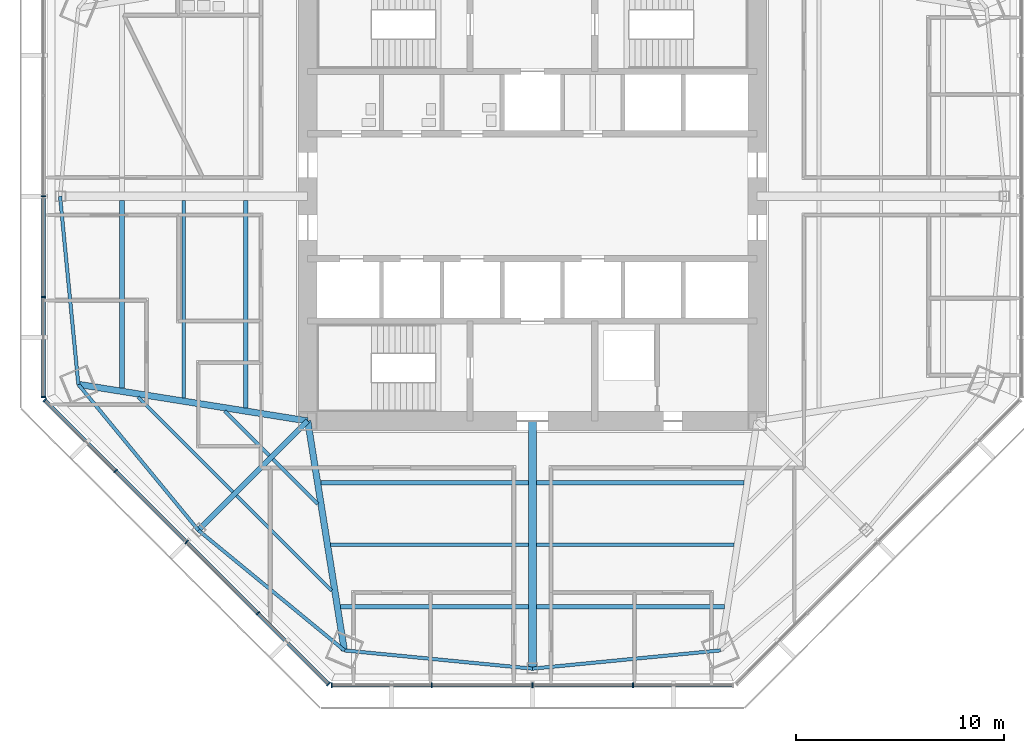
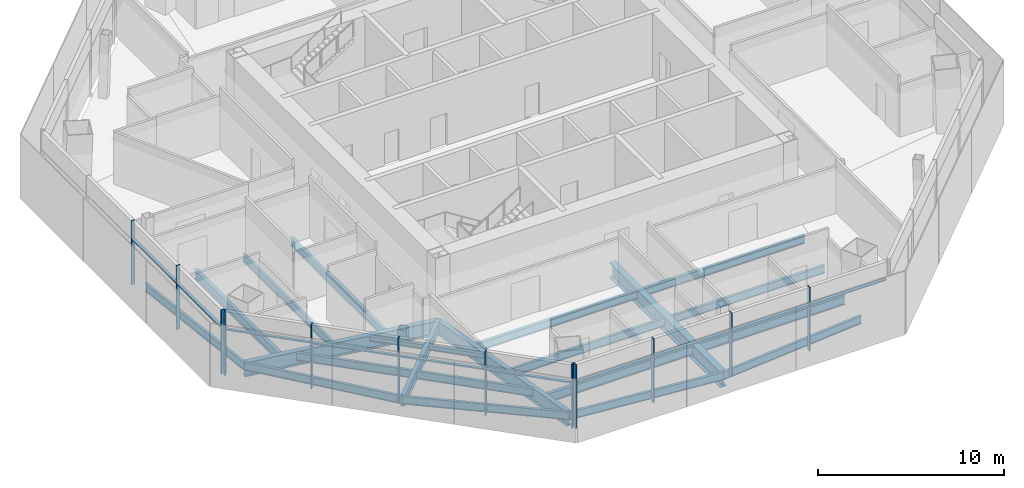
# One storey, part 2 of 15: 22 beams, 22 members, 3 elements without a shape of their own.
"""IFC4 building model written with IfcOpenShell, lengths in metres."""

from ifc_helpers import new_model, si_unit, direction, frame, origin, origin_2d, place, context, subcontext, project, spatial, rectangle, i_section, extrude, source, transform, mapped, material, material_profile, profile_set, type_object, type_shapes, element, aggregate, save


model = new_model("IFC4")

# Units and contexts
model_context = context("Model", 3, precision=1e-05, world=origin(), true_north=direction((0.0, 1.0)))
body_context = subcontext(model_context, "Body", "Model", "MODEL_VIEW")
ifc_project = project(units=[si_unit("LENGTHUNIT", "METRE"), si_unit("AREAUNIT", "SQUARE_METRE"), si_unit("VOLUMEUNIT", "CUBIC_METRE"), si_unit("PLANEANGLEUNIT", "RADIAN"), si_unit("MASSUNIT", "GRAM", prefix="KILO")], contexts=[model_context])

# Site, building, storey
site_placement = place(None, origin())
site = spatial("IfcSite", under=ifc_project, at=site_placement, CompositionType="ELEMENT")
building_placement = place(site_placement, origin())
building = spatial("IfcBuilding", under=site, at=building_placement, Name="Mashrafa Tower", CompositionType="ELEMENT")
storey_placement = place(building_placement, frame((0.0, 0.0, 159.60009765625)))
storey = spatial("IfcBuildingStorey", under=building, at=storey_placement, Name="L36", CompositionType="ELEMENT", Elevation=159.60009765625)

# Beams
ifc_material_1 = material(Name="Steel ASTM A992", Category="steel")
ifc_material_profile_1 = material_profile(ifc_material_1, i_section(OverallWidth=0.164794921875, OverallDepth=0.309814453125, WebThickness=0.005859375, FlangeThickness=0.009765625, FilletRadius=0.007568359375, at=origin_2d()), Name="W12X26")
ifc_profile_set_1 = profile_set([ifc_material_profile_1], Name="Steel ASTM A992")
beam_type_1 = type_object("IfcBeamType", Name="Beam W12X26", PredefinedType="BEAM", material=ifc_profile_set_1)
for number, where, z_axis, x_axis, name in (
    (1, (-12.64208984375, -12.460693359375, -0.320068359375), (-0.707147105488, 0.707066454586, 0.0), (-0.707066454586, -0.707147105488, 0.0), "Floor beam L36 011"),
    (2, (-10.3203125, -14.78271484375, -0.320068359375), (-0.707066454586, 0.707147105488, 0.0), (-0.707147105488, -0.707066454586, 0.0), "Floor beam L36 014"),
):
    element("IfcBeam", number, at=place(storey_placement, frame(where, z_axis=z_axis, x_axis=x_axis)), inside=storey, type_object=beam_type_1, Name=name, PredefinedType="BEAM", context=body_context, shape_type="SweptSolid", body=[
        extrude(i_section(OverallWidth=0.164794921875, OverallDepth=0.309814453125, WebThickness=0.005859375, FlangeThickness=0.009765625, FilletRadius=0.007568359375, at=origin_2d()), origin(), (0.0, 0.0, 1.0), 3.027099609375),
    ])
ifc_material_2 = material(Name="Steel ASTM A992", Category="steel")
ifc_material_profile_2 = material_profile(ifc_material_2, i_section(OverallWidth=0.1650390625, OverallDepth=0.52587890625, WebThickness=0.0087890625, FlangeThickness=0.011474609375, FilletRadius=0.0126953125, at=origin_2d()), Name="W21X44")
ifc_profile_set_2 = profile_set([ifc_material_profile_2], Name="Steel ASTM A992")
beam_type_2 = type_object("IfcBeamType", Name="Beam W21X44", PredefinedType="BEAM", material=ifc_profile_set_2)
for number, where, z_axis, x_axis, name in (
    (3, (-14.393798828125, -14.21240234375, -0.427978515625), (-0.707087839389, 0.707125722477, 0.0), (-0.707125722477, -0.707087839389, 0.0), "Floor beam L36 007"),
    (4, (-9.6552734375, -18.95068359375, -0.427978515625), (-0.707125722477, 0.707087839389, 0.0), (-0.707087839389, -0.707125722477, 0.0), "Floor beam L36 016"),
):
    element("IfcBeam", number, at=place(storey_placement, frame(where, z_axis=z_axis, x_axis=x_axis)), inside=storey, type_object=beam_type_2, Name=name, PredefinedType="BEAM", context=body_context, shape_type="SweptSolid", body=[
        extrude(i_section(OverallWidth=0.1650390625, OverallDepth=0.52587890625, WebThickness=0.0087890625, FlangeThickness=0.011474609375, FilletRadius=0.0126953125, at=origin_2d()), origin(), (0.0, 0.0, 1.0), 6.444580078125),
    ])
for number, where, z_axis, x_axis, name in (
    (5, (-22.70458984375, 0.0, -0.427978515625), (0.096679808275, -0.995315535231, 0.0), (0.995315535231, 0.096679808275, 0.0), "Spandrel beam L36 057"),
    (6, (-21.826416015625, -9.040771484375, -0.427978515625), (0.635445309972, -0.772145878727, 0.0), (0.772145878727, 0.635445309972, 0.0), "Spandrel beam L36 058"),
    (7, (-16.054443359375, -16.054443359375, -0.427978515625), (0.772145878727, -0.635445309972, 0.0), (0.635445309972, 0.772145878727, 0.0), "Spandrel beam L36 060"),
    (8, (-9.040771484375, -21.826416015625, -0.427978515625), (0.995315535231, -0.096679808275, 0.0), (0.096679808275, 0.995315535231, 0.0), "Spandrel beam L36 062"),
    (9, (0.0, -22.70458984375, -0.427978515625), (0.995315535231, 0.096679808275, 0.0), (-0.096679808275, 0.995315535231, 0.0), "Spandrel beam L36 064"),
):
    element("IfcBeam", number, at=place(storey_placement, frame(where, z_axis=z_axis, x_axis=x_axis)), inside=storey, type_object=beam_type_2, Name=name, PredefinedType="BEAM", context=body_context, shape_type="SweptSolid", body=[
        extrude(i_section(OverallWidth=0.1650390625, OverallDepth=0.52587890625, WebThickness=0.0087890625, FlangeThickness=0.011474609375, FilletRadius=0.0126953125, at=origin_2d()), origin(), (0.0, 0.0, 1.0), 9.083251953125),
    ])
ifc_material_3 = material(Name="Steel ASTM A992", Category="steel")
ifc_material_profile_3 = material_profile(ifc_material_3, i_section(OverallWidth=0.165771484375, OverallDepth=0.5283203125, WebThickness=0.009765625, FlangeThickness=0.013671875, FilletRadius=0.012939453125, at=origin_2d()), Name="W21X50")
ifc_profile_set_3 = profile_set([ifc_material_profile_3], Name="Steel ASTM A992")
beam_type_3 = type_object("IfcBeamType", Name="Beam W21X50", PredefinedType="BEAM", material=ifc_profile_set_3)
for number, where, z_axis, x_axis, name in (
    (10, (-16.752197265625, -9.694580078125, -0.42919921875), (0.0, 1.0, 0.0), (-1.0, 0.0, 0.0), "Floor beam L36 004"),
    (11, (-0.20068359375, -16.752197265625, -0.42919921875), (-1.0, 0.0, 0.0), (0.0, -1.0, 0.0), "Floor beam L36 019"),
    (12, (9.694580078125, -16.752197265625, -0.42919921875), (-1.0, 0.0, 0.0), (0.0, -1.0, 0.0), "Floor beam L36 026"),
):
    element("IfcBeam", number, at=place(storey_placement, frame(where, z_axis=z_axis, x_axis=x_axis)), inside=storey, type_object=beam_type_3, Name=name, PredefinedType="BEAM", context=body_context, shape_type="SweptSolid", body=[
        extrude(i_section(OverallWidth=0.165771484375, OverallDepth=0.5283203125, WebThickness=0.009765625, FlangeThickness=0.013671875, FilletRadius=0.012939453125, at=origin_2d()), origin(), (0.0, 0.0, 1.0), 9.493896484375),
    ])
ifc_material_4 = material(Name="Steel ASTM A992", Category="steel")
ifc_material_profile_4 = material_profile(ifc_material_4, i_section(OverallWidth=0.209228515625, OverallDepth=0.533447265625, WebThickness=0.01025390625, FlangeThickness=0.015625, FilletRadius=0.012939453125, at=origin_2d()), Name="W21X62")
ifc_profile_set_4 = profile_set([ifc_material_profile_4], Name="Steel ASTM A992")
beam_type_4 = type_object("IfcBeamType", Name="Beam W21X62", PredefinedType="BEAM", material=ifc_profile_set_4)
for number, where, z_axis, x_axis, name in (
    (13, (-13.776123046875, -10.169677734375, -0.431884765625), (0.0, 1.0, 0.0), (-1.0, 0.0, 0.0), "Floor beam L36 009"),
    (14, (-0.20068359375, -13.776123046875, -0.431884765625), (-1.0, 0.0, 0.0), (0.0, -1.0, 0.0), "Floor beam L36 020"),
    (15, (10.169677734375, -13.776123046875, -0.431884765625), (-1.0, 0.0, 0.0), (0.0, -1.0, 0.0), "Floor beam L36 028"),
):
    element("IfcBeam", number, at=place(storey_placement, frame(where, z_axis=z_axis, x_axis=x_axis)), inside=storey, type_object=beam_type_4, Name=name, PredefinedType="BEAM", context=body_context, shape_type="SweptSolid", body=[
        extrude(i_section(OverallWidth=0.209228515625, OverallDepth=0.533447265625, WebThickness=0.01025390625, FlangeThickness=0.015625, FilletRadius=0.012939453125, at=origin_2d()), origin(), (0.0, 0.0, 1.0), 9.968994140625),
    ])
ifc_material_5 = material(Name="Steel ASTM A992", Category="steel")
ifc_material_profile_5 = material_profile(ifc_material_5, i_section(OverallWidth=0.227783203125, OverallDepth=0.60205078125, WebThickness=0.010498046875, FlangeThickness=0.014892578125, FilletRadius=0.012939453125, at=origin_2d()), Name="W24X68")
ifc_profile_set_5 = profile_set([ifc_material_profile_5], Name="Steel ASTM A992")
beam_type_5 = type_object("IfcBeamType", Name="Beam W24X68", PredefinedType="BEAM", material=ifc_profile_set_5)
for number, where, z_axis, x_axis, name in (
    (16, (-19.728515625, -9.219970703125, -0.466064453125), (0.0, 1.0, 0.0), (-1.0, 0.0, 0.0), "Floor beam L36 001"),
    (17, (-0.20068359375, -19.728515625, -0.466064453125), (-1.0, 0.0, 0.0), (0.0, -1.0, 0.0), "Floor beam L36 018"),
    (18, (9.219970703125, -19.728515625, -0.466064453125), (-1.0, 0.0, 0.0), (0.0, -1.0, 0.0), "Floor beam L36 024"),
):
    element("IfcBeam", number, at=place(storey_placement, frame(where, z_axis=z_axis, x_axis=x_axis)), inside=storey, type_object=beam_type_5, Name=name, PredefinedType="BEAM", context=body_context, shape_type="SweptSolid", body=[
        extrude(i_section(OverallWidth=0.227783203125, OverallDepth=0.60205078125, WebThickness=0.010498046875, FlangeThickness=0.014892578125, FilletRadius=0.012939453125, at=origin_2d()), origin(), (0.0, 0.0, 1.0), 9.019287109375),
    ])
ifc_material_6 = material(Name="Steel ASTM A992", Category="steel")
ifc_material_profile_6 = material_profile(ifc_material_6, i_section(OverallWidth=0.256591796875, OverallDepth=0.693359375, WebThickness=0.014404296875, FlangeThickness=0.023681640625, FilletRadius=0.01513671875, at=origin_2d()), Name="W27X114")
ifc_profile_set_6 = profile_set([ifc_material_profile_6], Name="Steel ASTM A992")
beam_type_6 = type_object("IfcBeamType", Name="Beam W27X114", PredefinedType="BEAM", material=ifc_profile_set_6)
beam_1_placement = place(storey_placement, frame((-10.800048828125, -10.800048828125, -0.51171875), z_axis=(-0.707106781187, -0.707106781187, 0.0), x_axis=(0.707106781187, -0.707106781187, 0.0)))
element("IfcBeam", 19, at=beam_1_placement, inside=storey, type_object=beam_type_6, Name="Radial girder L36 042", PredefinedType="BEAM", context=body_context, shape_type="SweptSolid", body=[
    extrude(i_section(OverallWidth=0.256591796875, OverallDepth=0.693359375, WebThickness=0.014404296875, FlangeThickness=0.023681640625, FilletRadius=0.01513671875, at=origin_2d()), origin(), (0.0, 0.0, 1.0), 7.430908203125),
])
ifc_material_7 = material(Name="Steel ASTM A992", Category="steel")
ifc_material_profile_7 = material_profile(ifc_material_7, i_section(OverallWidth=0.307373046875, OverallDepth=0.927001953125, WebThickness=0.01953125, FlangeThickness=0.031982421875, FilletRadius=0.01904296875, at=origin_2d()), Name="W36X194")
ifc_profile_set_7 = profile_set([ifc_material_profile_7], Name="Steel ASTM A992")
beam_type_7 = type_object("IfcBeamType", Name="Beam W36X194", PredefinedType="BEAM", material=ifc_profile_set_7)
for number, where, z_axis, x_axis, name in (
    (20, (-10.800048828125, -10.800048828125, -0.628662109375), (-0.987509577734, 0.157558985412, 0.0), (-0.157558985412, -0.987509577734, 0.0), "Radial girder L36 041"),
    (21, (-10.800048828125, -10.800048828125, -0.628662109375), (0.157558985412, -0.987509577734, 0.0), (0.987509577734, 0.157558985412, 0.0), "Radial girder L36 043"),
):
    element("IfcBeam", number, at=place(storey_placement, frame(where, z_axis=z_axis, x_axis=x_axis)), inside=storey, type_object=beam_type_7, Name=name, PredefinedType="BEAM", context=body_context, shape_type="SweptSolid", body=[
        extrude(i_section(OverallWidth=0.307373046875, OverallDepth=0.927001953125, WebThickness=0.01953125, FlangeThickness=0.031982421875, FilletRadius=0.01904296875, at=origin_2d()), origin(), (0.0, 0.0, 1.0), 11.165771484375),
    ])
ifc_material_8 = material(Name="Steel ASTM A992", Category="steel")
ifc_material_profile_8 = material_profile(ifc_material_8, i_section(OverallWidth=0.4013671875, OverallDepth=1.010986328125, WebThickness=0.023681640625, FlangeThickness=0.0419921875, FilletRadius=0.02001953125, at=origin_2d()), Name="W40X297")
ifc_profile_set_8 = profile_set([ifc_material_profile_8], Name="Steel ASTM A992")
beam_type_8 = type_object("IfcBeamType", Name="Beam W40X297", PredefinedType="BEAM", material=ifc_profile_set_8)
beam_2_placement = place(storey_placement, frame((0.0, -10.800048828125, -0.670654296875), z_axis=(0.0, -1.0, 0.0), x_axis=(1.0, 0.0, 0.0)))
element("IfcBeam", 22, at=beam_2_placement, inside=storey, type_object=beam_type_8, Name="Radial girder L36 048", PredefinedType="BEAM", context=body_context, shape_type="SweptSolid", body=[
    extrude(i_section(OverallWidth=0.4013671875, OverallDepth=1.010986328125, WebThickness=0.023681640625, FlangeThickness=0.0419921875, FilletRadius=0.02001953125, at=origin_2d()), origin(), (0.0, 0.0, 1.0), 11.904541015625),
])

# Curtain wall, members
ifc_material_9 = material(Name="Unitised aluminium curtain wall", Category="aluminium")
curtain_wall_type = type_object("IfcCurtainWallType", Name="Office curtain wall, zone 2 CW-B 225 deep", PredefinedType="NOTDEFINED", material=ifc_material_9)
curtain_wall_1_placement = place(storey_placement, origin())
curtain_wall_1 = element("IfcCurtainWall", 23, at=curtain_wall_1_placement, inside=storey, type_object=curtain_wall_type, Name="Office curtain wall, zone 2 L36 west", PredefinedType="NOTDEFINED")
ifc_material_10 = material(Name="Extruded aluminium mullion", Category="aluminium")
ifc_material_profile_9 = material_profile(ifc_material_10, rectangle(XDim=0.22509765625, YDim=0.06494140625, at=origin_2d()), Name="Mullion 65x225")
ifc_profile_set_9 = profile_set([ifc_material_profile_9], Name="Extruded aluminium mullion")
member_type_1 = type_object("IfcMemberType", Name="Mullion CW-B 65 x 225", PredefinedType="MULLION", material=ifc_profile_set_9)
shared_shape_1 = source(origin(), body_context, "Body", "SweptSolid", [
    extrude(rectangle(XDim=0.22509765625, YDim=0.06494140625, at=origin_2d()), origin(), (0.0, 0.0, 1.0), 4.199951171875),
])
type_shapes(member_type_1, [shared_shape_1])
member_1_placement = place(storey_placement, frame((-23.499755859375, 0.0, 0.0), z_axis=(0.0, 0.0, 1.0), x_axis=(1.0, 0.0, 0.0)))
member_1 = element("IfcMember", 24, at=member_1_placement, type_object=member_type_1, Name="CW-B mullion 3", PredefinedType="MULLION", context=body_context, shape_type="MappedRepresentation", body=[
    mapped(shared_shape_1, transform((0.0, 0.0, 0.0))),
])
member_2_placement = place(storey_placement, frame((-23.499755859375, -4.838623046875, 0.0), z_axis=(0.0, 0.0, 1.0), x_axis=(1.0, 0.0, 0.0)))
member_2 = element("IfcMember", 25, at=member_2_placement, type_object=member_type_1, Name="CW-B mullion 4", PredefinedType="MULLION", context=body_context, shape_type="MappedRepresentation", body=[
    mapped(shared_shape_1, transform((0.0, 0.0, 0.0))),
])
member_3_placement = place(storey_placement, frame((-23.499755859375, -9.644775390625, 0.0), z_axis=(0.0, 0.0, 1.0), x_axis=(1.0, 0.0, 0.0)))
member_3 = element("IfcMember", 26, at=member_3_placement, type_object=member_type_1, Name="CW-B mullion 5", PredefinedType="MULLION", context=body_context, shape_type="MappedRepresentation", body=[
    mapped(shared_shape_1, transform((0.0, 0.0, 0.0))),
])

curtain_wall_2_placement = place(storey_placement, origin())
curtain_wall_2 = element("IfcCurtainWall", 27, at=curtain_wall_2_placement, inside=storey, type_object=curtain_wall_type, Name="Office curtain wall, zone 2 L36 south-west", PredefinedType="NOTDEFINED")
member_4_placement = place(storey_placement, frame((-23.436767578125, -9.796875, 0.0), z_axis=(0.0, 0.0, 1.0), x_axis=(0.707106781187, 0.707106781187, 0.0)))
member_4 = element("IfcMember", 28, at=member_4_placement, type_object=member_type_1, Name="CW-B mullion 1", PredefinedType="MULLION", context=body_context, shape_type="MappedRepresentation", body=[
    mapped(shared_shape_1, transform((0.0, 0.0, 0.0))),
])
member_5_placement = place(storey_placement, frame((-20.038330078125, -13.195556640625, 0.0), z_axis=(0.0, 0.0, 1.0), x_axis=(0.707106781187, 0.707106781187, 0.0)))
member_5 = element("IfcMember", 29, at=member_5_placement, type_object=member_type_1, Name="CW-B mullion 2", PredefinedType="MULLION", context=body_context, shape_type="MappedRepresentation", body=[
    mapped(shared_shape_1, transform((0.0, 0.0, 0.0))),
])
member_6_placement = place(storey_placement, frame((-16.616943359375, -16.616943359375, 0.0), z_axis=(0.0, 0.0, 1.0), x_axis=(0.707106781187, 0.707106781187, 0.0)))
member_6 = element("IfcMember", 30, at=member_6_placement, type_object=member_type_1, Name="CW-B mullion 3", PredefinedType="MULLION", context=body_context, shape_type="MappedRepresentation", body=[
    mapped(shared_shape_1, transform((0.0, 0.0, 0.0))),
])
member_7_placement = place(storey_placement, frame((-13.195556640625, -20.038330078125, 0.0), z_axis=(0.0, 0.0, 1.0), x_axis=(0.707106781187, 0.707106781187, 0.0)))
member_7 = element("IfcMember", 31, at=member_7_placement, type_object=member_type_1, Name="CW-B mullion 4", PredefinedType="MULLION", context=body_context, shape_type="MappedRepresentation", body=[
    mapped(shared_shape_1, transform((0.0, 0.0, 0.0))),
])
member_8_placement = place(storey_placement, frame((-9.796875, -23.436767578125, 0.0), z_axis=(0.0, 0.0, 1.0), x_axis=(0.707106781187, 0.707106781187, 0.0)))
member_8 = element("IfcMember", 32, at=member_8_placement, type_object=member_type_1, Name="CW-B mullion 5", PredefinedType="MULLION", context=body_context, shape_type="MappedRepresentation", body=[
    mapped(shared_shape_1, transform((0.0, 0.0, 0.0))),
])

curtain_wall_3_placement = place(storey_placement, origin())
curtain_wall_3 = element("IfcCurtainWall", 33, at=curtain_wall_3_placement, inside=storey, type_object=curtain_wall_type, Name="Office curtain wall, zone 2 L36 south", PredefinedType="NOTDEFINED")
member_9_placement = place(storey_placement, frame((-9.644775390625, -23.499755859375, 0.0), z_axis=(0.0, 0.0, 1.0), x_axis=(0.0, 1.0, 0.0)))
member_9 = element("IfcMember", 34, at=member_9_placement, type_object=member_type_1, Name="CW-B mullion 1", PredefinedType="MULLION", context=body_context, shape_type="MappedRepresentation", body=[
    mapped(shared_shape_1, transform((0.0, 0.0, 0.0))),
])
member_10_placement = place(storey_placement, frame((-4.838623046875, -23.499755859375, 0.0), z_axis=(0.0, 0.0, 1.0), x_axis=(0.0, 1.0, 0.0)))
member_10 = element("IfcMember", 35, at=member_10_placement, type_object=member_type_1, Name="CW-B mullion 2", PredefinedType="MULLION", context=body_context, shape_type="MappedRepresentation", body=[
    mapped(shared_shape_1, transform((0.0, 0.0, 0.0))),
])
member_11_placement = place(storey_placement, frame((0.0, -23.499755859375, 0.0), z_axis=(0.0, 0.0, 1.0), x_axis=(0.0, 1.0, 0.0)))
member_11 = element("IfcMember", 36, at=member_11_placement, type_object=member_type_1, Name="CW-B mullion 3", PredefinedType="MULLION", context=body_context, shape_type="MappedRepresentation", body=[
    mapped(shared_shape_1, transform((0.0, 0.0, 0.0))),
])
member_12_placement = place(storey_placement, frame((4.838623046875, -23.499755859375, 0.0), z_axis=(0.0, 0.0, 1.0), x_axis=(0.0, 1.0, 0.0)))
member_12 = element("IfcMember", 37, at=member_12_placement, type_object=member_type_1, Name="CW-B mullion 4", PredefinedType="MULLION", context=body_context, shape_type="MappedRepresentation", body=[
    mapped(shared_shape_1, transform((0.0, 0.0, 0.0))),
])

# Member
ifc_material_11 = material(Name="Extruded aluminium transom", Category="aluminium")
ifc_material_profile_10 = material_profile(ifc_material_11, rectangle(XDim=0.179931640625, YDim=0.080078125, at=origin_2d()), Name="Transom 80x180")
ifc_profile_set_10 = profile_set([ifc_material_profile_10], Name="Extruded aluminium transom")
member_type_2 = type_object("IfcMemberType", Name="Transom CW-B 80 x 180", PredefinedType="MULLION", material=ifc_profile_set_10)
shared_shape_2 = source(origin(), body_context, "Body", "SweptSolid", [
    extrude(rectangle(XDim=0.179931640625, YDim=0.080078125, at=origin_2d()), origin(), (0.0, 0.0, 1.0), 4.7412109375),
])
member_13_placement = place(storey_placement, frame((-23.499755859375, -4.87109375, 3.0), z_axis=(0.0, -1.0, 0.0), x_axis=(1.0, 0.0, 0.0)))
member_13 = element("IfcMember", 38, at=member_13_placement, type_object=member_type_2, Name="CW-B transom 4", PredefinedType="MULLION", context=body_context, shape_type="MappedRepresentation", body=[
    mapped(shared_shape_2, transform((0.0, 0.0, 0.0))),
])

member_14_placement = place(storey_placement, frame((-23.413818359375, -9.81982421875, 3.0), z_axis=(0.707106781187, -0.707106781187, 0.0), x_axis=(0.707106781187, 0.707106781187, 0.0)))
member_14 = element("IfcMember", 39, at=member_14_placement, type_object=member_type_2, Name="CW-B transom 1", PredefinedType="MULLION", context=body_context, shape_type="MappedRepresentation", body=[
    mapped(shared_shape_2, transform((0.0, 0.0, 0.0))),
])

member_15_placement = place(storey_placement, frame((-13.17236328125, -20.061279296875, 3.0), z_axis=(0.707106781187, -0.707106781187, 0.0), x_axis=(0.707106781187, 0.707106781187, 0.0)))
member_15 = element("IfcMember", 40, at=member_15_placement, type_object=member_type_2, Name="CW-B transom 4", PredefinedType="MULLION", context=body_context, shape_type="MappedRepresentation", body=[
    mapped(shared_shape_2, transform((0.0, 0.0, 0.0))),
])

member_16_placement = place(storey_placement, frame((-9.6123046875, -23.499755859375, 3.0), z_axis=(1.0, 0.0, 0.0), x_axis=(0.0, 1.0, 0.0)))
member_16 = element("IfcMember", 41, at=member_16_placement, type_object=member_type_2, Name="CW-B transom 1", PredefinedType="MULLION", context=body_context, shape_type="MappedRepresentation", body=[
    mapped(shared_shape_2, transform((0.0, 0.0, 0.0))),
])

member_17_placement = place(storey_placement, frame((4.87109375, -23.499755859375, 3.0), z_axis=(1.0, 0.0, 0.0), x_axis=(0.0, 1.0, 0.0)))
member_17 = element("IfcMember", 42, at=member_17_placement, type_object=member_type_2, Name="CW-B transom 4", PredefinedType="MULLION", context=body_context, shape_type="MappedRepresentation", body=[
    mapped(shared_shape_2, transform((0.0, 0.0, 0.0))),
])

shared_shape_3 = source(origin(), body_context, "Body", "SweptSolid", [
    extrude(rectangle(XDim=0.179931640625, YDim=0.080078125, at=origin_2d()), origin(), (0.0, 0.0, 1.0), 4.773681640625),
])
type_shapes(member_type_2, [shared_shape_2, shared_shape_3])
member_18_placement = place(storey_placement, frame((-23.499755859375, -0.032470703125, 3.0), z_axis=(0.0, -1.0, 0.0), x_axis=(1.0, 0.0, 0.0)))
member_18 = element("IfcMember", 43, at=member_18_placement, type_object=member_type_2, Name="CW-B transom 3", PredefinedType="MULLION", context=body_context, shape_type="MappedRepresentation", body=[
    mapped(shared_shape_3, transform((0.0, 0.0, 0.0))),
])

aggregate(curtain_wall_1, [member_1, member_2, member_3, member_18, member_13])

member_19_placement = place(storey_placement, frame((-20.015380859375, -13.218505859375, 3.0), z_axis=(0.707106781187, -0.707106781187, 0.0), x_axis=(0.707106781187, 0.707106781187, 0.0)))
member_19 = element("IfcMember", 44, at=member_19_placement, type_object=member_type_2, Name="CW-B transom 2", PredefinedType="MULLION", context=body_context, shape_type="MappedRepresentation", body=[
    mapped(shared_shape_3, transform((0.0, 0.0, 0.0))),
])

member_20_placement = place(storey_placement, frame((-16.593994140625, -16.639892578125, 3.0), z_axis=(0.707106781187, -0.707106781187, 0.0), x_axis=(0.707106781187, 0.707106781187, 0.0)))
member_20 = element("IfcMember", 45, at=member_20_placement, type_object=member_type_2, Name="CW-B transom 3", PredefinedType="MULLION", context=body_context, shape_type="MappedRepresentation", body=[
    mapped(shared_shape_3, transform((0.0, 0.0, 0.0))),
])

aggregate(curtain_wall_2, [member_4, member_5, member_6, member_7, member_8, member_14, member_19, member_20, member_15])

member_21_placement = place(storey_placement, frame((-4.80615234375, -23.499755859375, 3.0), z_axis=(1.0, 0.0, 0.0), x_axis=(0.0, 1.0, 0.0)))
member_21 = element("IfcMember", 46, at=member_21_placement, type_object=member_type_2, Name="CW-B transom 2", PredefinedType="MULLION", context=body_context, shape_type="MappedRepresentation", body=[
    mapped(shared_shape_3, transform((0.0, 0.0, 0.0))),
])

member_22_placement = place(storey_placement, frame((0.032470703125, -23.499755859375, 3.0), z_axis=(1.0, 0.0, 0.0), x_axis=(0.0, 1.0, 0.0)))
member_22 = element("IfcMember", 47, at=member_22_placement, type_object=member_type_2, Name="CW-B transom 3", PredefinedType="MULLION", context=body_context, shape_type="MappedRepresentation", body=[
    mapped(shared_shape_3, transform((0.0, 0.0, 0.0))),
])

aggregate(curtain_wall_3, [member_9, member_10, member_11, member_12, member_16, member_21, member_22, member_17])

save(model, "model.ifc")
